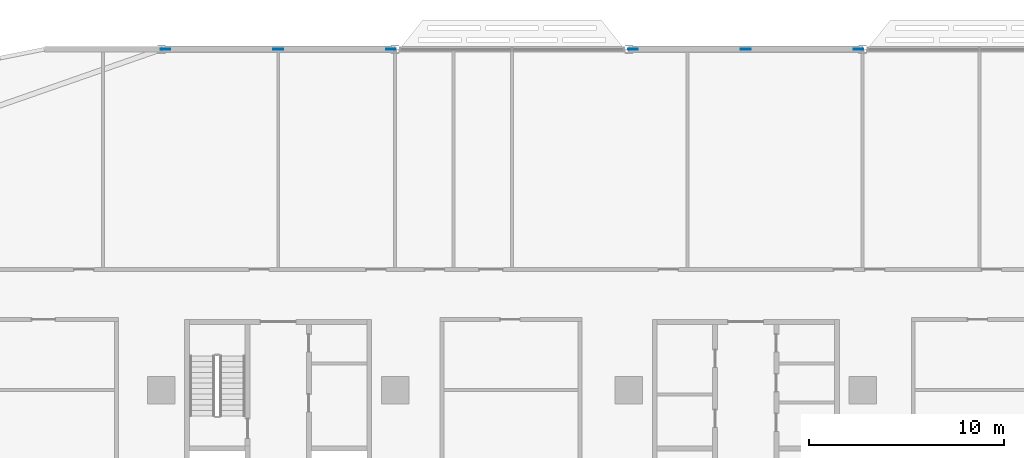
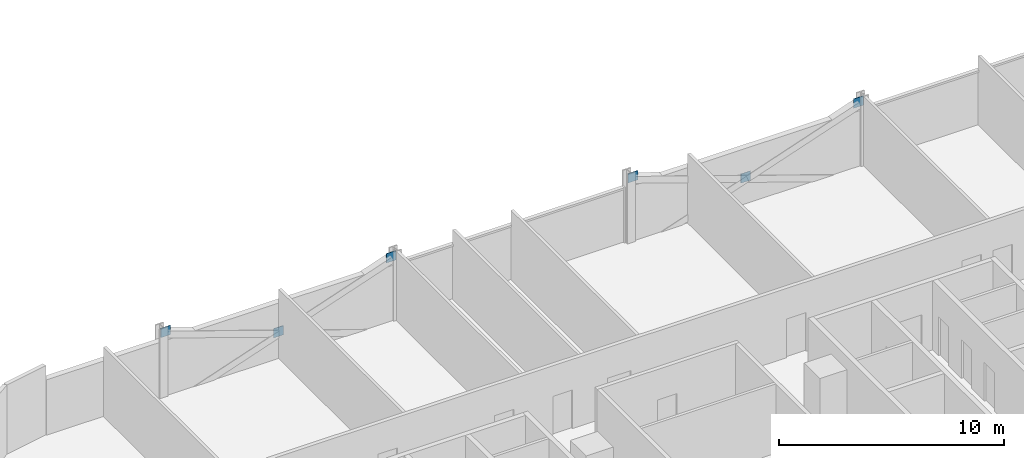
# One storey, part 20 of 29: 6 discrete accessories.
"""IFC4 building model written with IfcOpenShell, lengths in metres."""

from ifc_helpers import new_model, si_unit, direction, frame, origin, origin_2d, place, context, subcontext, project, spatial, rectangle, extrude, material, layer, layer_set, type_object, element, save


model = new_model("IFC4")

# Units and contexts
model_context = context("Model", 3, precision=1e-05, world=origin(), true_north=direction((0.0, 1.0)))
body_context = subcontext(model_context, "Body", "Model", "MODEL_VIEW")
ifc_project = project(units=[si_unit("LENGTHUNIT", "METRE"), si_unit("AREAUNIT", "SQUARE_METRE"), si_unit("VOLUMEUNIT", "CUBIC_METRE"), si_unit("PLANEANGLEUNIT", "RADIAN"), si_unit("MASSUNIT", "GRAM", prefix="KILO")], contexts=[model_context])

# Site, building, storey
site_placement = place(None, origin())
site = spatial("IfcSite", under=ifc_project, at=site_placement, CompositionType="ELEMENT")
building_placement = place(site_placement, origin())
building = spatial("IfcBuilding", under=site, at=building_placement, Name="Mahtab Terrace Research Tower", CompositionType="ELEMENT")
storey_placement = place(building_placement, frame((0.0, 0.0, 109.39990234375)))
storey = spatial("IfcBuildingStorey", under=building, at=storey_placement, Name="L25", CompositionType="ELEMENT", Elevation=109.39990234375)

# Discrete accessories
ifc_material = material(Name="Steel ASTM A992 Gr 50", Category="steel")
ifc_layer = layer(ifc_material, 0.030029296875)
ifc_layer_set = layer_set([ifc_layer], Name="Gusset plate 500x500x30")
discrete_accessory_type = type_object("IfcDiscreteAccessoryType", Name="Gusset plate 500x500x30", PredefinedType="USERDEFINED", material=ifc_layer_set)
for number, where, z_axis, x_axis, name in (
    (1, (-29.790283203125, 29.0, 3.1298828125), (0.0, 0.0, 1.0), (1.0, 0.0, 0.0), "Gusset plate"),
    (2, (-24.0, 29.0, 1.081787109375), (0.0, 0.0, 1.0), (1.0, 0.0, 0.0), "Gusset plate"),
    (3, (-18.209716796875, 29.0, 3.1298828125), (0.0, 0.0, 1.0), (1.0, 0.0, 0.0), "Gusset plate"),
    (4, (-5.790283203125, 29.0, 3.1298828125), (0.0, 0.0, 1.0), (1.0, 0.0, 0.0), "Gusset plate"),
    (5, (0.0, 29.0, 1.081787109375), (0.0, 0.0, 1.0), (1.0, 0.0, 0.0), "Gusset plate"),
    (6, (5.790283203125, 29.0, 3.1298828125), (0.0, 0.0, 1.0), (1.0, 0.0, 0.0), "Gusset plate"),
):
    element("IfcDiscreteAccessory", number, at=place(storey_placement, frame(where, z_axis=z_axis, x_axis=x_axis)), inside=storey, type_object=discrete_accessory_type, Name=name, ObjectType="GUSSET PLATE", PredefinedType="USERDEFINED", context=body_context, shape_type="SweptSolid", body=[
        extrude(rectangle(XDim=0.5, YDim=0.030029296875, at=origin_2d()), origin(), (0.0, 0.0, 1.0), 0.5),
    ])

save(model, "model.ifc")
